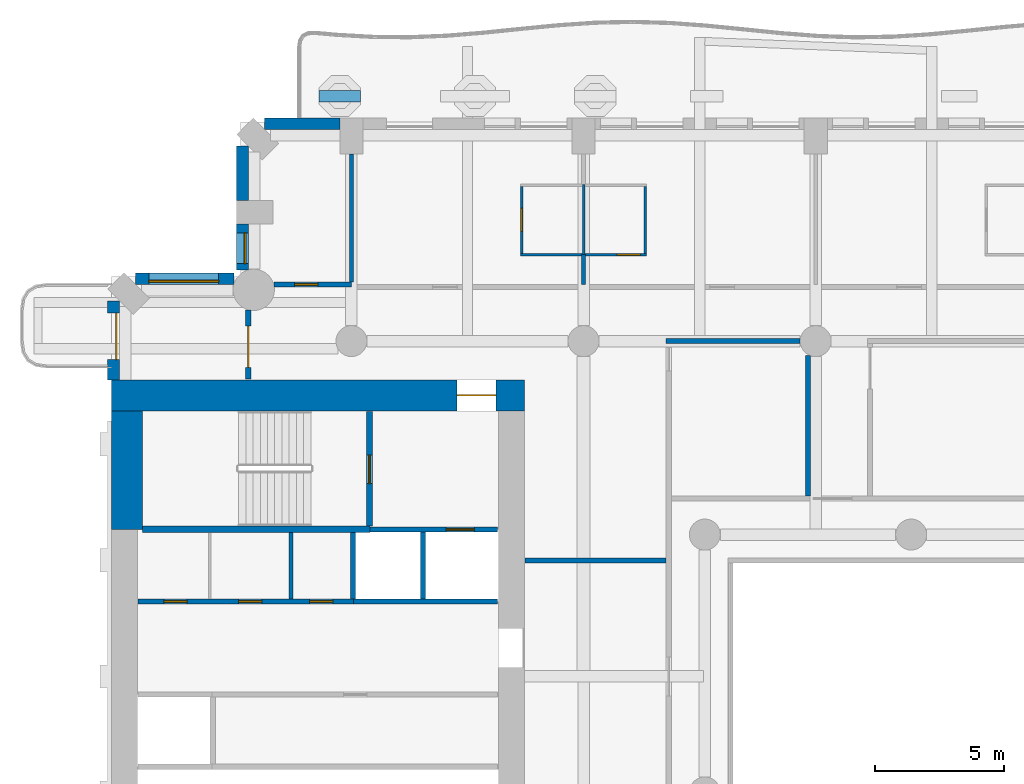
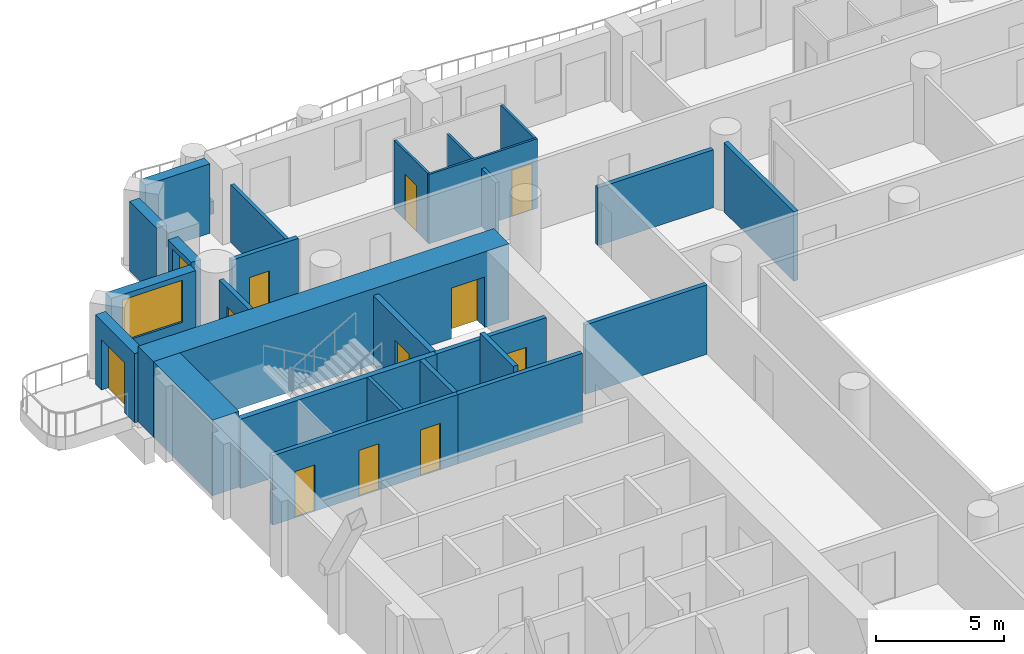
# One storey, part 7 of 20: 27 walls, 11 doors, 2 windows, 13 openings.
"""IFC4 building model written with IfcOpenShell, lengths in metres."""

from ifc_helpers import new_model, si_unit, direction, frame, frame_2d, origin, place, context, subcontext, project, spatial, rectangle, extrude, material, layer, layer_set, type_object, element, fill, save


model = new_model("IFC4")

# Units and contexts
model_context = context("Model", 3, precision=1e-05, world=origin(), true_north=direction((0.0, 1.0)))
body_context = subcontext(model_context, "Body", "Model", "MODEL_VIEW")
ifc_project = project(units=[si_unit("LENGTHUNIT", "METRE"), si_unit("AREAUNIT", "SQUARE_METRE"), si_unit("VOLUMEUNIT", "CUBIC_METRE"), si_unit("PLANEANGLEUNIT", "RADIAN"), si_unit("MASSUNIT", "GRAM", prefix="KILO")], contexts=[model_context])

# Site, building, storey
site_placement = place(None, origin())
site = spatial("IfcSite", under=ifc_project, at=site_placement, CompositionType="ELEMENT")
building_placement = place(site_placement, origin())
building = spatial("IfcBuilding", under=site, at=building_placement, Name="Cypress Arch Tower", CompositionType="ELEMENT")
storey_placement = place(building_placement, frame((0.0, 0.0, 73.5)))
storey = spatial("IfcBuildingStorey", under=building, at=storey_placement, Name="L12", CompositionType="ELEMENT", Elevation=73.5)

# Wall
ifc_material_1 = material(Name="Concrete C40/50, waterproofed", Category="concrete")
ifc_layer_1 = layer(ifc_material_1, 0.449951171875)
ifc_layer_set_1 = layer_set([ifc_layer_1], Name="Balcony planter wall PW450")
wall_type_1 = type_object("IfcWallType", Name="Balcony planter wall PW450", PredefinedType="SOLIDWALL", material=ifc_layer_set_1)
wall_1_placement = place(storey_placement, frame((-20.35009765625, 27.0, 0.0), z_axis=(0.0, 0.0, 1.0), x_axis=(-1.0, 0.0, 0.0)))
element("IfcWall", 1, at=wall_1_placement, inside=storey, type_object=wall_type_1, Name="Balcony planter wall L12-A08.6", PredefinedType="SOLIDWALL", context=body_context, shape_type="SweptSolid", body=[
    extrude(rectangle(XDim=1.599853515625, YDim=0.449951171875, at=frame_2d((0.7998046875, 0.0))), origin(), (0.0, 0.0, 1.0), 0.60009765625),
])

# Wall, opening, door
ifc_material_2 = material(Name="Brick (red buff blend)", Category="masonry")
ifc_layer_2 = layer(ifc_material_2, 0.449951171875)
ifc_layer_set_2 = layer_set([ifc_layer_2], Name="Brick pier and spandrel wall BW450")
wall_type_2 = type_object("IfcWallType", Name="Brick pier and spandrel wall BW450", PredefinedType="SOLIDWALL", material=ifc_layer_set_2)
wall_2_placement = place(storey_placement, frame((-29.925048828125, 19.063720703125, 0.0), z_axis=(0.0, 0.0, 1.0), x_axis=(0.0, -1.0, 0.0)))
wall_2 = element("IfcWall", 2, at=wall_2_placement, inside=storey, type_object=wall_type_2, Name="Brick wall L12 A00.0", PredefinedType="SOLIDWALL", context=body_context, shape_type="SweptSolid", body=[
    extrude(rectangle(XDim=3.063720703125, YDim=0.449951171875, at=frame_2d((1.53173828125, 0.0))), origin(), (0.0, 0.0, 1.0), 3.300048828125),
])
opening_1_placement = place(wall_2_placement, frame((0.481689453125, 0.0, 0.0)))
opening_1 = element("IfcOpeningElement", 3, at=opening_1_placement, cuts=wall_2, Name="Opening D-L12-A00.0.1", PredefinedType="OPENING", context=body_context, shape_type="SweptSolid", body=[
    extrude(rectangle(XDim=1.800048828125, YDim=2.39990234375, at=frame_2d((0.89990234375, 1.199951171875))), frame((0.0, 0.23486328125, 0.0), z_axis=(0.0, -1.0, 0.0), x_axis=(1.0, 0.0, 0.0)), (0.0, 0.0, 1.0), 0.469970703125),
])
ifc_material_3 = material(Name="Anodised aluminium, bronze finish, laminated low-emissivity double glazing, large-missile impact rated", Category="aluminium")
door_type_1 = type_object("IfcDoorType", Name="Balcony sliding door 1800x2400", OperationType="SLIDING_TO_LEFT", PredefinedType="DOOR", material=ifc_material_3)
door_1_placement = place(opening_1_placement, origin())
door_1 = element("IfcDoor", 4, at=door_1_placement, inside=storey, type_object=door_type_1, Name="Balcony door L12 A00.0.1", OperationType="SLIDING_TO_LEFT", OverallHeight=2.39990234375, OverallWidth=1.800048828125, PredefinedType="DOOR", context=body_context, shape_type="SweptSolid", body=[
    extrude(rectangle(XDim=1.800048828125, YDim=2.39990234375, at=frame_2d((0.89990234375, 1.199951171875))), frame((0.0, 0.1298828125, 0.0), z_axis=(0.0, -1.0, 0.0), x_axis=(1.0, 0.0, 0.0)), (0.0, 0.0, 1.0), 0.050048828125),
])
fill(opening_1, door_1)

# Walls
wall_3_placement = place(storey_placement, frame((-21.14990234375, 25.925048828125, 0.0), z_axis=(0.0, 0.0, 1.0), x_axis=(-1.0, 0.0, 0.0)))
element("IfcWall", 5, at=wall_3_placement, inside=storey, type_object=wall_type_2, Name="Brick wall L12 A08.4", PredefinedType="SOLIDWALL", context=body_context, shape_type="SweptSolid", body=[
    extrude(rectangle(XDim=2.913818359375, YDim=0.449951171875, at=frame_2d((1.45703125, 0.0))), origin(), (0.0, 0.0, 1.0), 3.300048828125),
])
wall_4_placement = place(storey_placement, frame((-24.925048828125, 25.063720703125, 0.0), z_axis=(0.0, 0.0, 1.0), x_axis=(0.0, -1.0, 0.0)))
element("IfcWall", 6, at=wall_4_placement, inside=storey, type_object=wall_type_2, Name="Brick wall L12 A09.0", PredefinedType="SOLIDWALL", context=body_context, shape_type="SweptSolid", body=[
    extrude(rectangle(XDim=2.11376953125, YDim=0.449951171875, at=frame_2d((1.056884765625, 0.0))), origin(), (0.0, 0.0, 1.0), 3.300048828125),
])

# Wall, opening, window
wall_5_placement = place(storey_placement, frame((-24.925048828125, 22.050048828125, 0.0), z_axis=(0.0, 0.0, 1.0), x_axis=(0.0, -1.0, 0.0)))
wall_5 = element("IfcWall", 7, at=wall_5_placement, inside=storey, type_object=wall_type_2, Name="Brick wall L12 A09.1", PredefinedType="SOLIDWALL", context=body_context, shape_type="SweptSolid", body=[
    extrude(rectangle(XDim=1.79150390625, YDim=0.449951171875, at=frame_2d((0.895751953125, 0.0))), origin(), (0.0, 0.0, 1.0), 3.300048828125),
])
opening_2_placement = place(wall_5_placement, frame((0.35009765625, 0.0, 1.050048828125)))
opening_2 = element("IfcOpeningElement", 8, at=opening_2_placement, cuts=wall_5, Name="Opening W120H", PredefinedType="OPENING", context=body_context, shape_type="SweptSolid", body=[
    extrude(rectangle(XDim=1.199951171875, YDim=2.0, at=frame_2d((0.60009765625, 1.0))), frame((0.0, 0.23486328125, 0.0), z_axis=(0.0, -1.0, 0.0), x_axis=(1.0, 0.0, 0.0)), (0.0, 0.0, 1.0), 0.469970703125),
])
ifc_material_4 = material(Name="Anodised aluminium, bronze finish, clear low-emissivity double glazing", Category="aluminium")
window_type_1 = type_object("IfcWindowType", Name="Window Hotel 1200x2000", PartitioningType="SINGLE_PANEL", PredefinedType="WINDOW", material=ifc_material_4)
window_1_placement = place(opening_2_placement, origin())
window_1 = element("IfcWindow", 9, at=window_1_placement, inside=storey, type_object=window_type_1, Name="Window L12 A09.1.1", OverallHeight=2.0, OverallWidth=1.199951171875, PartitioningType="SINGLE_PANEL", PredefinedType="WINDOW", context=body_context, shape_type="SweptSolid", body=[
    extrude(rectangle(XDim=1.199951171875, YDim=2.0, at=frame_2d((0.60009765625, 1.0))), frame((0.0, 0.135009765625, 0.0), z_axis=(0.0, -1.0, 0.0), x_axis=(1.0, 0.0, 0.0)), (0.0, 0.0, 1.0), 0.06005859375),
])
fill(opening_2, window_1)

wall_6_placement = place(storey_placement, frame((-25.258544921875, 19.925048828125, 0.0), z_axis=(0.0, 0.0, 1.0), x_axis=(-1.0, 0.0, 0.0)))
wall_6 = element("IfcWall", 10, at=wall_6_placement, inside=storey, type_object=wall_type_2, Name="Brick wall L12 A10.0", PredefinedType="SOLIDWALL", context=body_context, shape_type="SweptSolid", body=[
    extrude(rectangle(XDim=3.80517578125, YDim=0.449951171875, at=frame_2d((1.902587890625, 0.0))), origin(), (0.0, 0.0, 1.0), 3.300048828125),
])
opening_3_placement = place(wall_6_placement, frame((0.591552734375, 0.0, 1.050048828125)))
opening_3 = element("IfcOpeningElement", 11, at=opening_3_placement, cuts=wall_6, Name="Opening W270H", PredefinedType="OPENING", context=body_context, shape_type="SweptSolid", body=[
    extrude(rectangle(XDim=2.699951171875, YDim=2.0, at=frame_2d((1.35009765625, 1.0))), frame((0.0, 0.23486328125, 0.0), z_axis=(0.0, -1.0, 0.0), x_axis=(1.0, 0.0, 0.0)), (0.0, 0.0, 1.0), 0.469970703125),
])
ifc_material_5 = material(Name="Anodised aluminium, bronze finish, clear low-emissivity double glazing", Category="aluminium")
window_type_2 = type_object("IfcWindowType", Name="Window Hotel 2700x2000", PartitioningType="SINGLE_PANEL", PredefinedType="WINDOW", material=ifc_material_5)
window_2_placement = place(opening_3_placement, origin())
window_2 = element("IfcWindow", 12, at=window_2_placement, inside=storey, type_object=window_type_2, Name="Window L12 A10.0.1", OverallHeight=2.0, OverallWidth=2.699951171875, PartitioningType="SINGLE_PANEL", PredefinedType="WINDOW", context=body_context, shape_type="SweptSolid", body=[
    extrude(rectangle(XDim=2.699951171875, YDim=2.0, at=frame_2d((1.35009765625, 1.0))), frame((0.0, 0.135009765625, 0.0), z_axis=(0.0, -1.0, 0.0), x_axis=(1.0, 0.0, 0.0)), (0.0, 0.0, 1.0), 0.06005859375),
])
fill(opening_3, window_2)

# Wall, opening, door
ifc_material_6 = material(Name="Concrete C80/95", Category="concrete")
ifc_layer_3 = layer(ifc_material_6, 1.199951171875)
ifc_layer_set_3 = layer_set([ifc_layer_3], Name="Core wall CW1200 C80/95")
wall_type_3 = type_object("IfcWallType", Name="Core wall CW1200 C80/95", PredefinedType="SHEAR", material=ifc_layer_set_3)
wall_7_placement = place(storey_placement, frame((-30.0, 15.39990234375, 0.0), z_axis=(0.0, 0.0, 1.0), x_axis=(1.0, 0.0, 0.0)))
wall_7 = element("IfcWall", 13, at=wall_7_placement, inside=storey, type_object=wall_type_3, Name="Core wall", PredefinedType="SHEAR", context=body_context, shape_type="SweptSolid", body=[
    extrude(rectangle(XDim=16.0, YDim=1.199951171875, at=frame_2d((8.0, 0.0))), origin(), (0.0, 0.0, 1.0), 3.60009765625),
])
opening_4_placement = place(wall_7_placement, frame((13.39990234375, 0.0, 0.0)))
opening_4 = element("IfcOpeningElement", 14, at=opening_4_placement, cuts=wall_7, Name="Opening D07", PredefinedType="OPENING", context=body_context, shape_type="SweptSolid", body=[
    extrude(rectangle(XDim=1.5, YDim=2.39990234375, at=frame_2d((0.75, 1.199951171875))), frame((0.0, 0.60986328125, 0.0), z_axis=(0.0, -1.0, 0.0), x_axis=(1.0, 0.0, 0.0)), (0.0, 0.0, 1.0), 1.219970703125),
])
ifc_material_7 = material(Name="Steel framed glazed door, fire resisting", Category="steel")
door_type_2 = type_object("IfcDoorType", Name="Lobby door D07 1500x2400", OperationType="DOUBLE_DOOR_SINGLE_SWING", PredefinedType="DOOR", material=ifc_material_7)
door_2_placement = place(opening_4_placement, origin())
door_2 = element("IfcDoor", 15, at=door_2_placement, inside=storey, type_object=door_type_2, Name="Lobby door", OperationType="DOUBLE_DOOR_SINGLE_SWING", OverallHeight=2.39990234375, OverallWidth=1.5, PredefinedType="DOOR", context=body_context, shape_type="SweptSolid", body=[
    extrude(rectangle(XDim=1.5, YDim=2.39990234375, at=frame_2d((0.75, 1.199951171875))), frame((0.0, 0.02490234375, 0.0), z_axis=(0.0, -1.0, 0.0), x_axis=(1.0, 0.0, 0.0)), (0.0, 0.0, 1.0), 0.050048828125),
])
fill(opening_4, door_2)

# Wall
wall_8_placement = place(storey_placement, frame((-29.39990234375, 10.199951171875, 0.0), z_axis=(0.0, 0.0, 1.0), x_axis=(0.0, 1.0, 0.0)))
element("IfcWall", 16, at=wall_8_placement, inside=storey, type_object=wall_type_3, Name="Core wall", PredefinedType="SHEAR", context=body_context, shape_type="SweptSolid", body=[
    extrude(rectangle(XDim=4.60009765625, YDim=1.199951171875, at=frame_2d((2.300048828125, 0.0))), origin(), (0.0, 0.0, 1.0), 3.60009765625),
])

# Wall, openings, doors
ifc_material_8 = material(Name="Concrete blockwork, plastered, rated", Category="masonry")
ifc_layer_4 = layer(ifc_material_8, 0.199951171875)
ifc_layer_set_4 = layer_set([ifc_layer_4], Name="Corridor wall FW200")
wall_type_4 = type_object("IfcWallType", Name="Corridor wall FW200", PredefinedType="PARTITIONING", material=ifc_layer_set_4)
wall_9_placement = place(storey_placement, frame((-28.969970703125, 7.39990234375, 0.0), z_axis=(0.0, 0.0, 1.0), x_axis=(1.0, 0.0, 0.0)))
wall_9 = element("IfcWall", 17, at=wall_9_placement, inside=storey, type_object=wall_type_4, Name="Corridor wall", PredefinedType="PARTITIONING", context=body_context, shape_type="SweptSolid", body=[
    extrude(rectangle(XDim=8.349853515625, YDim=0.199951171875, at=frame_2d((4.1748046875, 0.0))), origin(), (0.0, 0.0, 1.0), 3.300048828125),
])
opening_5_placement = place(wall_9_placement, frame((1.0, 0.0, 0.0)))
opening_5 = element("IfcOpeningElement", 18, at=opening_5_placement, cuts=wall_9, Name="Opening D05", PredefinedType="OPENING", context=body_context, shape_type="SweptSolid", body=[
    extrude(rectangle(XDim=0.89990234375, YDim=2.199951171875, at=frame_2d((0.449951171875, 1.10009765625))), frame((0.0, 0.10986328125, 0.0), z_axis=(0.0, -1.0, 0.0), x_axis=(1.0, 0.0, 0.0)), (0.0, 0.0, 1.0), 0.219970703125),
])
opening_6_placement = place(wall_9_placement, frame((3.89990234375, 0.0, 0.0)))
opening_6 = element("IfcOpeningElement", 19, at=opening_6_placement, cuts=wall_9, Name="Opening D05", PredefinedType="OPENING", context=body_context, shape_type="SweptSolid", body=[
    extrude(rectangle(XDim=0.89990234375, YDim=2.199951171875, at=frame_2d((0.449951171875, 1.10009765625))), frame((0.0, 0.10986328125, 0.0), z_axis=(0.0, -1.0, 0.0), x_axis=(1.0, 0.0, 0.0)), (0.0, 0.0, 1.0), 0.219970703125),
])
opening_7_placement = place(wall_9_placement, frame((6.64990234375, 0.0, 0.0)))
opening_7 = element("IfcOpeningElement", 20, at=opening_7_placement, cuts=wall_9, Name="Opening D05", PredefinedType="OPENING", context=body_context, shape_type="SweptSolid", body=[
    extrude(rectangle(XDim=0.89990234375, YDim=2.199951171875, at=frame_2d((0.449951171875, 1.10009765625))), frame((0.0, 0.10986328125, 0.0), z_axis=(0.0, -1.0, 0.0), x_axis=(1.0, 0.0, 0.0)), (0.0, 0.0, 1.0), 0.219970703125),
])
ifc_material_9 = material(Name="Timber flush door", Category="wood")
door_type_3 = type_object("IfcDoorType", Name="Service door D05 900x2200", OperationType="SINGLE_SWING_LEFT", PredefinedType="DOOR", material=ifc_material_9)
door_3_placement = place(opening_5_placement, origin())
door_3 = element("IfcDoor", 21, at=door_3_placement, inside=storey, type_object=door_type_3, Name="Service door", OperationType="SINGLE_SWING_RIGHT", OverallHeight=2.199951171875, OverallWidth=0.89990234375, PredefinedType="DOOR", context=body_context, shape_type="SweptSolid", body=[
    extrude(rectangle(XDim=0.89990234375, YDim=2.199951171875, at=frame_2d((0.449951171875, 1.10009765625))), frame((0.0, 0.02490234375, 0.0), z_axis=(0.0, -1.0, 0.0), x_axis=(1.0, 0.0, 0.0)), (0.0, 0.0, 1.0), 0.050048828125),
])
fill(opening_5, door_3)
door_4_placement = place(opening_6_placement, origin())
door_4 = element("IfcDoor", 22, at=door_4_placement, inside=storey, type_object=door_type_3, Name="Service door", OperationType="SINGLE_SWING_RIGHT", OverallHeight=2.199951171875, OverallWidth=0.89990234375, PredefinedType="DOOR", context=body_context, shape_type="SweptSolid", body=[
    extrude(rectangle(XDim=0.89990234375, YDim=2.199951171875, at=frame_2d((0.449951171875, 1.10009765625))), frame((0.0, 0.02490234375, 0.0), z_axis=(0.0, -1.0, 0.0), x_axis=(1.0, 0.0, 0.0)), (0.0, 0.0, 1.0), 0.050048828125),
])
fill(opening_6, door_4)
door_5_placement = place(opening_7_placement, origin())
door_5 = element("IfcDoor", 23, at=door_5_placement, inside=storey, type_object=door_type_3, Name="Service door", OperationType="SINGLE_SWING_LEFT", OverallHeight=2.199951171875, OverallWidth=0.89990234375, PredefinedType="DOOR", context=body_context, shape_type="SweptSolid", body=[
    extrude(rectangle(XDim=0.89990234375, YDim=2.199951171875, at=frame_2d((0.449951171875, 1.10009765625))), frame((0.0, 0.02490234375, 0.0), z_axis=(0.0, -1.0, 0.0), x_axis=(1.0, 0.0, 0.0)), (0.0, 0.0, 1.0), 0.050048828125),
])
fill(opening_7, door_5)

# Wall, opening, door
wall_10_placement = place(storey_placement, frame((-24.699951171875, 16.030029296875, 0.0), z_axis=(0.0, 0.0, 1.0), x_axis=(0.0, 1.0, 0.0)))
wall_10 = element("IfcWall", 24, at=wall_10_placement, inside=storey, type_object=wall_type_4, Name="Corridor wall", PredefinedType="PARTITIONING", context=body_context, shape_type="SweptSolid", body=[
    extrude(rectangle(XDim=2.670166015625, YDim=0.199951171875, at=frame_2d((1.3349609375, 0.0))), origin(), (0.0, 0.0, 1.0), 3.300048828125),
])
opening_8_placement = place(wall_10_placement, frame((0.449951171875, 0.0, 0.0)))
opening_8 = element("IfcOpeningElement", 25, at=opening_8_placement, cuts=wall_10, Name="Opening D10", PredefinedType="OPENING", context=body_context, shape_type="SweptSolid", body=[
    extrude(rectangle(XDim=1.60009765625, YDim=2.39990234375, at=frame_2d((0.800048828125, 1.199951171875))), frame((0.0, 0.10986328125, 0.0), z_axis=(0.0, -1.0, 0.0), x_axis=(1.0, 0.0, 0.0)), (0.0, 0.0, 1.0), 0.219970703125),
])
ifc_material_10 = material(Name="Black aluminium glazed door", Category="aluminium")
door_type_4 = type_object("IfcDoorType", Name="Amenity door D10 1600x2400", OperationType="DOUBLE_DOOR_SINGLE_SWING", PredefinedType="DOOR", material=ifc_material_10)
door_6_placement = place(opening_8_placement, origin())
door_6 = element("IfcDoor", 26, at=door_6_placement, inside=storey, type_object=door_type_4, Name="Amenity door", OperationType="DOUBLE_DOOR_SINGLE_SWING", OverallHeight=2.39990234375, OverallWidth=1.60009765625, PredefinedType="DOOR", context=body_context, shape_type="SweptSolid", body=[
    extrude(rectangle(XDim=1.60009765625, YDim=2.39990234375, at=frame_2d((0.800048828125, 1.199951171875))), frame((0.0, 0.02490234375, 0.0), z_axis=(0.0, -1.0, 0.0), x_axis=(1.0, 0.0, 0.0)), (0.0, 0.0, 1.0), 0.050048828125),
])
fill(opening_8, door_6)

wall_11_placement = place(storey_placement, frame((-23.7001953125, 19.699951171875, 0.0), z_axis=(0.0, 0.0, 1.0), x_axis=(1.0, 0.0, 0.0)))
wall_11 = element("IfcWall", 27, at=wall_11_placement, inside=storey, type_object=wall_type_4, Name="Corridor wall", PredefinedType="PARTITIONING", context=body_context, shape_type="SweptSolid", body=[
    extrude(rectangle(XDim=3.000244140625, YDim=0.199951171875, at=frame_2d((1.5, 0.0))), origin(), (0.0, 0.0, 1.0), 3.300048828125),
])
opening_9_placement = place(wall_11_placement, frame((0.800048828125, 0.0, 0.0)))
opening_9 = element("IfcOpeningElement", 28, at=opening_9_placement, cuts=wall_11, Name="Opening D05", PredefinedType="OPENING", context=body_context, shape_type="SweptSolid", body=[
    extrude(rectangle(XDim=0.89990234375, YDim=2.199951171875, at=frame_2d((0.449951171875, 1.10009765625))), frame((0.0, 0.10986328125, 0.0), z_axis=(0.0, -1.0, 0.0), x_axis=(1.0, 0.0, 0.0)), (0.0, 0.0, 1.0), 0.219970703125),
])
door_7_placement = place(opening_9_placement, origin())
door_7 = element("IfcDoor", 29, at=door_7_placement, inside=storey, type_object=door_type_3, Name="Service door", OperationType="SINGLE_SWING_LEFT", OverallHeight=2.199951171875, OverallWidth=0.89990234375, PredefinedType="DOOR", context=body_context, shape_type="SweptSolid", body=[
    extrude(rectangle(XDim=0.89990234375, YDim=2.199951171875, at=frame_2d((0.449951171875, 1.10009765625))), frame((0.0, 0.02490234375, 0.0), z_axis=(0.0, -1.0, 0.0), x_axis=(1.0, 0.0, 0.0)), (0.0, 0.0, 1.0), 0.050048828125),
])
fill(opening_9, door_7)

# Walls
wall_12_placement = place(storey_placement, frame((-13.969970703125, 9.0, 0.0), z_axis=(0.0, 0.0, 1.0), x_axis=(1.0, 0.0, 0.0)))
element("IfcWall", 30, at=wall_12_placement, inside=storey, type_object=wall_type_4, Name="Corridor wall", PredefinedType="PARTITIONING", context=body_context, shape_type="SweptSolid", body=[
    extrude(rectangle(XDim=5.469970703125, YDim=0.199951171875, at=frame_2d((2.73486328125, 0.0))), origin(), (0.0, 0.0, 1.0), 3.300048828125),
])
wall_13_placement = place(storey_placement, frame((-8.5, 17.5, 0.0), z_axis=(0.0, 0.0, 1.0), x_axis=(1.0, 0.0, 0.0)))
element("IfcWall", 31, at=wall_13_placement, inside=storey, type_object=wall_type_4, Name="Corridor wall", PredefinedType="PARTITIONING", context=body_context, shape_type="SweptSolid", body=[
    extrude(rectangle(XDim=5.199951171875, YDim=0.199951171875, at=frame_2d((2.60009765625, 0.0))), origin(), (0.0, 0.0, 1.0), 2.75),
])
wall_14_placement = place(storey_placement, frame((-3.0, 11.5, 0.0), z_axis=(0.0, 0.0, 1.0), x_axis=(0.0, 1.0, 0.0)))
element("IfcWall", 32, at=wall_14_placement, inside=storey, type_object=wall_type_4, Name="Corridor wall", PredefinedType="PARTITIONING", context=body_context, shape_type="SweptSolid", body=[
    extrude(rectangle(XDim=5.443359375, YDim=0.199951171875, at=frame_2d((2.7216796875, 0.0))), origin(), (0.0, 0.0, 1.0), 3.300048828125),
])
ifc_material_11 = material(Name="Blockwork, plastered both sides", Category="masonry")
ifc_layer_5 = layer(ifc_material_11, 0.14990234375)
ifc_layer_set_5 = layer_set([ifc_layer_5], Name="Partition PW150")
wall_type_5 = type_object("IfcWallType", Name="Partition PW150", PredefinedType="PARTITIONING", material=ifc_layer_set_5)
wall_15_placement = place(storey_placement, frame((-23.0400390625, 7.5, 0.0), z_axis=(0.0, 0.0, 1.0), x_axis=(0.0, 1.0, 0.0)))
element("IfcWall", 33, at=wall_15_placement, inside=storey, type_object=wall_type_5, Name="Partition", PredefinedType="PARTITIONING", context=body_context, shape_type="SweptSolid", body=[
    extrude(rectangle(XDim=2.574951171875, YDim=0.14990234375, at=frame_2d((1.28759765625, 0.0))), origin(), (0.0, 0.0, 1.0), 3.300048828125),
])
wall_16_placement = place(storey_placement, frame((-20.699951171875, 19.800048828125, 0.0), z_axis=(0.0, 0.0, 1.0), x_axis=(0.0, 1.0, 0.0)))
element("IfcWall", 34, at=wall_16_placement, inside=storey, type_object=wall_type_5, Name="Partition", PredefinedType="PARTITIONING", context=body_context, shape_type="SweptSolid", body=[
    extrude(rectangle(XDim=4.949951171875, YDim=0.14990234375, at=frame_2d((2.47509765625, 0.0))), origin(), (0.0, 0.0, 1.0), 2.75),
])
wall_17_placement = place(storey_placement, frame((-11.699951171875, 19.699951171875, 0.0), z_axis=(0.0, 0.0, 1.0), x_axis=(0.0, 1.0, 0.0)))
element("IfcWall", 35, at=wall_17_placement, inside=storey, type_object=wall_type_5, Name="Partition", PredefinedType="PARTITIONING", context=body_context, shape_type="SweptSolid", body=[
    extrude(rectangle(XDim=1.150146484375, YDim=0.14990234375, at=frame_2d((0.5751953125, 0.0))), origin(), (0.0, 0.0, 1.0), 2.75),
])
ifc_material_12 = material(Name="Concrete C50/60", Category="concrete")
ifc_layer_6 = layer(ifc_material_12, 0.199951171875)
ifc_layer_set_6 = layer_set([ifc_layer_6], Name="Shaft wall SH200")
wall_type_6 = type_object("IfcWallType", Name="Shaft wall SH200", PredefinedType="SHEAR", material=ifc_layer_set_6)
wall_18_placement = place(storey_placement, frame((-20.639892578125, 7.5, 0.0), z_axis=(0.0, 0.0, 1.0), x_axis=(0.0, 1.0, 0.0)))
element("IfcWall", 36, at=wall_18_placement, inside=storey, type_object=wall_type_6, Name="Shaft wall", PredefinedType="SHEAR", context=body_context, shape_type="SweptSolid", body=[
    extrude(rectangle(XDim=2.574951171875, YDim=0.199951171875, at=frame_2d((1.28759765625, 0.0))), origin(), (0.0, 0.0, 1.0), 3.300048828125),
])
wall_19_placement = place(storey_placement, frame((-20.6201171875, 7.39990234375, 0.0), z_axis=(0.0, 0.0, 1.0), x_axis=(1.0, 0.0, 0.0)))
element("IfcWall", 37, at=wall_19_placement, inside=storey, type_object=wall_type_6, Name="Shaft wall", PredefinedType="SHEAR", context=body_context, shape_type="SweptSolid", body=[
    extrude(rectangle(XDim=5.590087890625, YDim=0.199951171875, at=frame_2d((2.794921875, 0.0))), origin(), (0.0, 0.0, 1.0), 3.300048828125),
])

# Wall, opening, door
wall_20_placement = place(storey_placement, frame((-19.97998046875, 10.199951171875, 0.0), z_axis=(0.0, 0.0, 1.0), x_axis=(1.0, 0.0, 0.0)))
wall_20 = element("IfcWall", 38, at=wall_20_placement, inside=storey, type_object=wall_type_6, Name="Shaft wall", PredefinedType="SHEAR", context=body_context, shape_type="SweptSolid", body=[
    extrude(rectangle(XDim=4.949951171875, YDim=0.199951171875, at=frame_2d((2.47509765625, 0.0))), origin(), (0.0, 0.0, 1.0), 3.300048828125),
])
opening_10_placement = place(wall_20_placement, frame((2.949951171875, 0.0, 0.0)))
opening_10 = element("IfcOpeningElement", 39, at=opening_10_placement, cuts=wall_20, Name="Opening LD-FL2", PredefinedType="OPENING", context=body_context, shape_type="SweptSolid", body=[
    extrude(rectangle(XDim=1.10009765625, YDim=2.199951171875, at=frame_2d((0.550048828125, 1.10009765625))), frame((0.0, 0.10986328125, 0.0), z_axis=(0.0, -1.0, 0.0), x_axis=(1.0, 0.0, 0.0)), (0.0, 0.0, 1.0), 0.219970703125),
])
ifc_material_13 = material(Name="Stainless steel centre-opening landing door, rated", Category="steel")
door_type_5 = type_object("IfcDoorType", Name="Lift landing door LD 1100x2200", OperationType="DOUBLE_DOOR_SLIDING", PredefinedType="DOOR", material=ifc_material_13)
door_8_placement = place(opening_10_placement, origin())
door_8 = element("IfcDoor", 40, at=door_8_placement, inside=storey, type_object=door_type_5, Name="Lift landing doors FL2", OperationType="DOUBLE_DOOR_SLIDING", OverallHeight=2.199951171875, OverallWidth=1.10009765625, PredefinedType="DOOR", context=body_context, shape_type="SweptSolid", body=[
    extrude(rectangle(XDim=1.10009765625, YDim=2.199951171875, at=frame_2d((0.550048828125, 1.10009765625))), frame((0.0, 0.02490234375, 0.0), z_axis=(0.0, -1.0, 0.0), x_axis=(1.0, 0.0, 0.0)), (0.0, 0.0, 1.0), 0.050048828125),
])
fill(opening_10, door_8)

# Walls
wall_21_placement = place(storey_placement, frame((-17.919921875, 7.5, 0.0), z_axis=(0.0, 0.0, 1.0), x_axis=(0.0, 1.0, 0.0)))
element("IfcWall", 41, at=wall_21_placement, inside=storey, type_object=wall_type_6, Name="Shaft wall", PredefinedType="SHEAR", context=body_context, shape_type="SweptSolid", body=[
    extrude(rectangle(XDim=2.60009765625, YDim=0.199951171875, at=frame_2d((1.300048828125, 0.0))), origin(), (0.0, 0.0, 1.0), 3.60009765625),
])
ifc_material_14 = material(Name="Concrete C50/60", Category="concrete")
ifc_layer_7 = layer(ifc_material_14, 0.25)
ifc_layer_set_7 = layer_set([ifc_layer_7], Name="Stair enclosure wall SW250")
wall_type_7 = type_object("IfcWallType", Name="Stair enclosure wall SW250", PredefinedType="SHEAR", material=ifc_layer_set_7)
wall_22_placement = place(storey_placement, frame((-28.81005859375, 10.199951171875, 0.0), z_axis=(0.0, 0.0, 1.0), x_axis=(1.0, 0.0, 0.0)))
element("IfcWall", 42, at=wall_22_placement, inside=storey, type_object=wall_type_7, Name="Stair enclosure wall", PredefinedType="SHEAR", context=body_context, shape_type="SweptSolid", body=[
    extrude(rectangle(XDim=8.830078125, YDim=0.25, at=frame_2d((4.4150390625, 0.0))), origin(), (0.0, 0.0, 1.0), 3.300048828125),
])

# Wall, opening, door
wall_23_placement = place(storey_placement, frame((-20.0, 10.324951171875, 0.0), z_axis=(0.0, 0.0, 1.0), x_axis=(0.0, 1.0, 0.0)))
wall_23 = element("IfcWall", 43, at=wall_23_placement, inside=storey, type_object=wall_type_7, Name="Stair enclosure wall", PredefinedType="SHEAR", context=body_context, shape_type="SweptSolid", body=[
    extrude(rectangle(XDim=4.445068359375, YDim=0.25, at=frame_2d((2.22265625, 0.0))), origin(), (0.0, 0.0, 1.0), 3.300048828125),
])
opening_11_placement = place(wall_23_placement, frame((1.64990234375, 0.0, 0.0)))
opening_11 = element("IfcOpeningElement", 44, at=opening_11_placement, cuts=wall_23, Name="Opening D06", PredefinedType="OPENING", context=body_context, shape_type="SweptSolid", body=[
    extrude(rectangle(XDim=1.10009765625, YDim=2.199951171875, at=frame_2d((0.550048828125, 1.10009765625))), frame((0.0, 0.135009765625, 0.0), z_axis=(0.0, -1.0, 0.0), x_axis=(1.0, 0.0, 0.0)), (0.0, 0.0, 1.0), 0.27001953125),
])
ifc_material_15 = material(Name="Steel door, fire resisting, panic bar", Category="steel")
door_type_6 = type_object("IfcDoorType", Name="Stair door D06 1100x2200", OperationType="SINGLE_SWING_LEFT", PredefinedType="DOOR", material=ifc_material_15)
door_9_placement = place(opening_11_placement, origin())
door_9 = element("IfcDoor", 45, at=door_9_placement, inside=storey, type_object=door_type_6, Name="Stair door", OperationType="SINGLE_SWING_LEFT", OverallHeight=2.199951171875, OverallWidth=1.10009765625, PredefinedType="DOOR", context=body_context, shape_type="SweptSolid", body=[
    extrude(rectangle(XDim=1.10009765625, YDim=2.199951171875, at=frame_2d((0.550048828125, 1.10009765625))), frame((0.0, 0.02490234375, 0.0), z_axis=(0.0, -1.0, 0.0), x_axis=(1.0, 0.0, 0.0)), (0.0, 0.0, 1.0), 0.050048828125),
])
fill(opening_11, door_9)

ifc_material_16 = material(Name="Moisture resistant board on steel studs, tiled", Category="steel")
ifc_layer_8 = layer(ifc_material_16, 0.10009765625)
ifc_layer_set_8 = layer_set([ifc_layer_8], Name="Wet wall PW100")
wall_type_8 = type_object("IfcWallType", Name="Wet wall PW100", PredefinedType="PARTITIONING", material=ifc_layer_set_8)
wall_24_placement = place(storey_placement, frame((-14.095947265625, 20.89990234375, 0.0), z_axis=(0.0, 0.0, 1.0), x_axis=(0.0, 1.0, 0.0)))
wall_24 = element("IfcWall", 46, at=wall_24_placement, inside=storey, type_object=wall_type_8, Name="Wet wall", PredefinedType="PARTITIONING", context=body_context, shape_type="SweptSolid", body=[
    extrude(rectangle(XDim=2.60009765625, YDim=0.10009765625, at=frame_2d((1.300048828125, 0.0))), origin(), (0.0, 0.0, 1.0), 3.300048828125),
])
opening_12_placement = place(wall_24_placement, frame((0.85009765625, 0.0, 0.0)))
opening_12 = element("IfcOpeningElement", 47, at=opening_12_placement, cuts=wall_24, Name="Opening D03", PredefinedType="OPENING", context=body_context, shape_type="SweptSolid", body=[
    extrude(rectangle(XDim=0.89990234375, YDim=2.199951171875, at=frame_2d((0.449951171875, 1.10009765625))), frame((0.0, 0.06005859375, 0.0), z_axis=(0.0, -1.0, 0.0), x_axis=(1.0, 0.0, 0.0)), (0.0, 0.0, 1.0), 0.1201171875),
])
ifc_material_17 = material(Name="Timber flush door, moisture resistant", Category="wood")
door_type_7 = type_object("IfcDoorType", Name="Bathroom door D03 900x2200", OperationType="SINGLE_SWING_LEFT", PredefinedType="DOOR", material=ifc_material_17)
door_10_placement = place(opening_12_placement, origin())
door_10 = element("IfcDoor", 48, at=door_10_placement, inside=storey, type_object=door_type_7, Name="Bathroom door", OperationType="SINGLE_SWING_RIGHT", OverallHeight=2.199951171875, OverallWidth=0.89990234375, PredefinedType="DOOR", context=body_context, shape_type="SweptSolid", body=[
    extrude(rectangle(XDim=0.89990234375, YDim=2.199951171875, at=frame_2d((0.449951171875, 1.10009765625))), frame((0.0, 0.02490234375, 0.0), z_axis=(0.0, -1.0, 0.0), x_axis=(1.0, 0.0, 0.0)), (0.0, 0.0, 1.0), 0.050048828125),
])
fill(opening_12, door_10)

wall_25_placement = place(storey_placement, frame((-14.14599609375, 20.85009765625, 0.0), z_axis=(0.0, 0.0, 1.0), x_axis=(1.0, 0.0, 0.0)))
wall_25 = element("IfcWall", 49, at=wall_25_placement, inside=storey, type_object=wall_type_8, Name="Wet wall", PredefinedType="PARTITIONING", context=body_context, shape_type="SweptSolid", body=[
    extrude(rectangle(XDim=4.89208984375, YDim=0.10009765625, at=frame_2d((2.446044921875, 0.0))), origin(), (0.0, 0.0, 1.0), 3.300048828125),
])
opening_13_placement = place(wall_25_placement, frame((3.75, 0.0, 0.0)))
opening_13 = element("IfcOpeningElement", 50, at=opening_13_placement, cuts=wall_25, Name="Opening D03", PredefinedType="OPENING", context=body_context, shape_type="SweptSolid", body=[
    extrude(rectangle(XDim=0.89990234375, YDim=2.199951171875, at=frame_2d((0.449951171875, 1.10009765625))), frame((0.0, 0.06005859375, 0.0), z_axis=(0.0, -1.0, 0.0), x_axis=(1.0, 0.0, 0.0)), (0.0, 0.0, 1.0), 0.1201171875),
])
door_11_placement = place(opening_13_placement, origin())
door_11 = element("IfcDoor", 51, at=door_11_placement, inside=storey, type_object=door_type_7, Name="Bathroom door", OperationType="SINGLE_SWING_RIGHT", OverallHeight=2.199951171875, OverallWidth=0.89990234375, PredefinedType="DOOR", context=body_context, shape_type="SweptSolid", body=[
    extrude(rectangle(XDim=0.89990234375, YDim=2.199951171875, at=frame_2d((0.449951171875, 1.10009765625))), frame((0.0, 0.02490234375, 0.0), z_axis=(0.0, -1.0, 0.0), x_axis=(1.0, 0.0, 0.0)), (0.0, 0.0, 1.0), 0.050048828125),
])
fill(opening_13, door_11)

# Walls
wall_26_placement = place(storey_placement, frame((-11.699951171875, 20.85009765625, 0.0), z_axis=(0.0, 0.0, 1.0), x_axis=(0.0, 1.0, 0.0)))
element("IfcWall", 52, at=wall_26_placement, inside=storey, type_object=wall_type_8, Name="Wet wall", PredefinedType="PARTITIONING", context=body_context, shape_type="SweptSolid", body=[
    extrude(rectangle(XDim=2.719970703125, YDim=0.10009765625, at=frame_2d((1.35986328125, 0.0))), origin(), (0.0, 0.0, 1.0), 2.75),
])
wall_27_placement = place(storey_placement, frame((-9.303955078125, 20.89990234375, 0.0), z_axis=(0.0, 0.0, 1.0), x_axis=(0.0, 1.0, 0.0)))
element("IfcWall", 53, at=wall_27_placement, inside=storey, type_object=wall_type_8, Name="Wet wall", PredefinedType="PARTITIONING", context=body_context, shape_type="SweptSolid", body=[
    extrude(rectangle(XDim=2.60009765625, YDim=0.10009765625, at=frame_2d((1.300048828125, 0.0))), origin(), (0.0, 0.0, 1.0), 3.300048828125),
])

save(model, "model.ifc")
